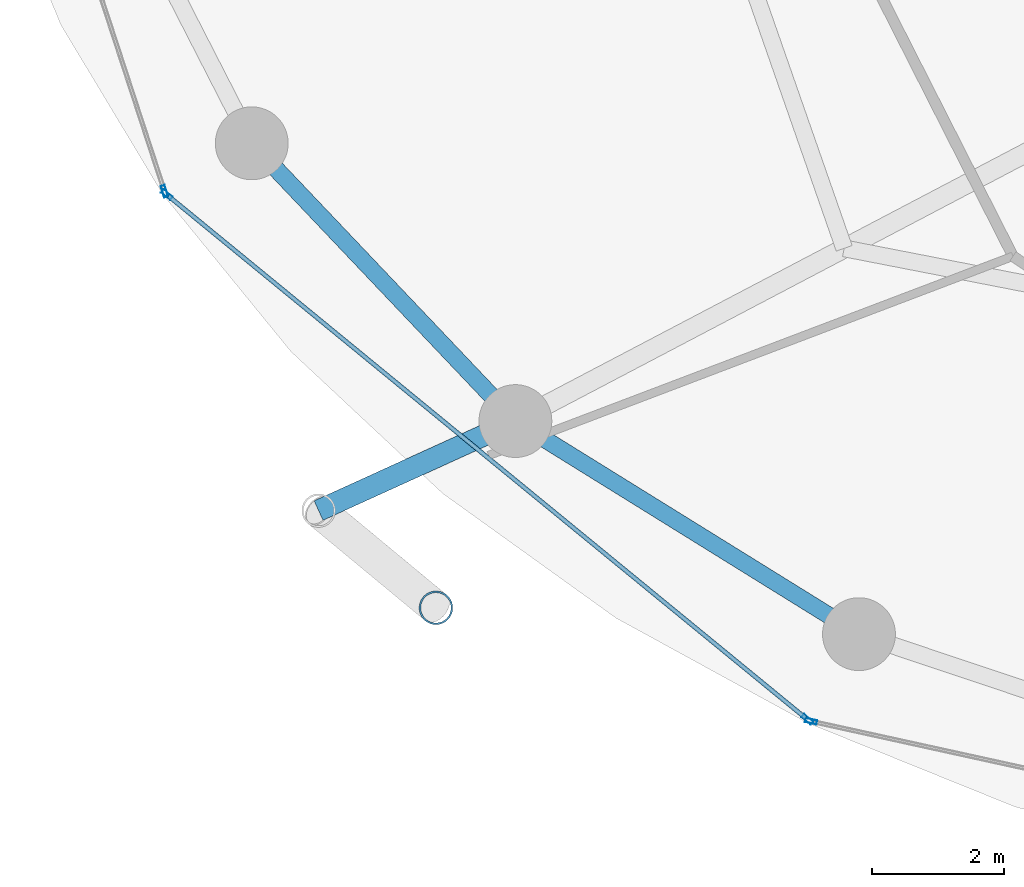
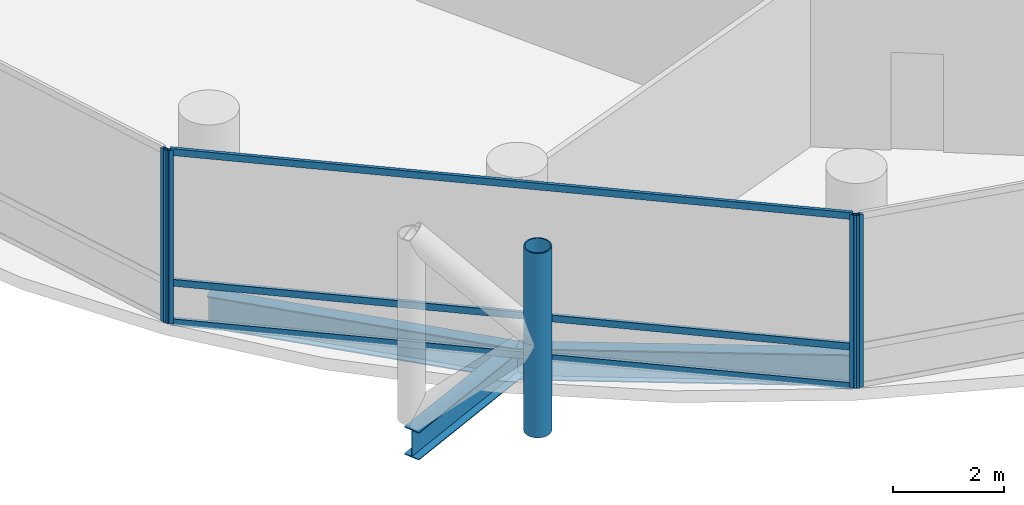
# One storey, part 2 of 26: 8 members, 3 beams, 3 elements without a shape of their own.
"""IFC4 building model written with IfcOpenShell, lengths in metres."""

from ifc_helpers import new_model, si_unit, direction, frame, origin, origin_2d, place, context, subcontext, project, spatial, hollow_rectangle, hollow_circle, i_section, extrude, material, layer, layer_set, material_profile, profile_set, type_object, element, aggregate, save


model = new_model("IFC4")

# Units and contexts
model_context = context("Model", 3, precision=1e-05, world=origin(), true_north=direction((0.0, 1.0)))
body_context = subcontext(model_context, "Body", "Model", "MODEL_VIEW")
ifc_project = project(units=[si_unit("LENGTHUNIT", "METRE"), si_unit("AREAUNIT", "SQUARE_METRE"), si_unit("VOLUMEUNIT", "CUBIC_METRE"), si_unit("PLANEANGLEUNIT", "RADIAN"), si_unit("MASSUNIT", "GRAM", prefix="KILO")], contexts=[model_context])

# Site, building, storey
site_placement = place(None, origin())
site = spatial("IfcSite", under=ifc_project, at=site_placement, CompositionType="ELEMENT")
building_placement = place(site_placement, origin())
building = spatial("IfcBuilding", under=site, at=building_placement, Name="Nuhasar Tower", CompositionType="ELEMENT")
storey_placement = place(building_placement, frame((0.0, 0.0, 53.39990234375)))
storey = spatial("IfcBuildingStorey", under=building, at=storey_placement, Name="L12", CompositionType="ELEMENT", Elevation=53.39990234375)

# Beams
ifc_material_1 = material(Name="Steel S355", Category="steel")
ifc_material_profile_1 = material_profile(ifc_material_1, i_section(OverallWidth=0.256103515625, OverallDepth=0.693115234375, WebThickness=0.014404296875, FlangeThickness=0.023681640625, at=origin_2d()), Name="W27X114")
ifc_profile_set_1 = profile_set([ifc_material_profile_1], Name="Steel S355")
beam_type_1 = type_object("IfcBeamType", Name="BM-RING-W27X114", PredefinedType="SPANDREL", material=ifc_profile_set_1)
beam_1_placement = place(storey_placement, frame((17.305908203125, 16.675048828125, -0.60595703125), z_axis=(0.688459812429, -0.725274490569, 0.0), x_axis=(0.725274490569, 0.688459812429, 0.0)))
element("IfcBeam", 1, at=beam_1_placement, inside=storey, type_object=beam_type_1, Name="L12 Perimeter Ring Spandrel 15", PredefinedType="SPANDREL", context=body_context, shape_type="SweptSolid", body=[
    extrude(i_section(OverallWidth=0.256103515625, OverallDepth=0.693115234375, WebThickness=0.014404296875, FlangeThickness=0.023681640625, at=origin_2d()), origin(), (0.0, 0.0, 1.0), 5.78271484375),
])
beam_2_placement = place(storey_placement, frame((21.287109375, 12.48095703125, -0.60595703125), z_axis=(0.849795216549, -0.527112976439, 0.0), x_axis=(0.527112976439, 0.849795216549, 0.0)))
element("IfcBeam", 2, at=beam_2_placement, inside=storey, type_object=beam_type_1, Name="L12 Perimeter Ring Spandrel 16", PredefinedType="SPANDREL", context=body_context, shape_type="SweptSolid", body=[
    extrude(i_section(OverallWidth=0.256103515625, OverallDepth=0.693115234375, WebThickness=0.014404296875, FlangeThickness=0.023681640625, at=origin_2d()), origin(), (0.0, 0.0, 1.0), 6.10498046875),
])
ifc_material_profile_2 = material_profile(ifc_material_1, i_section(OverallWidth=0.323974609375, OverallDepth=0.611083984375, WebThickness=0.0126953125, FlangeThickness=0.01904296875, at=origin_2d()), Name="W24X104")
ifc_profile_set_2 = profile_set([ifc_material_profile_2], Name="Steel S355")
beam_type_2 = type_object("IfcBeamType", Name="BM-TIE-W24X104", PredefinedType="BEAM", material=ifc_profile_set_2)
beam_3_placement = place(storey_placement, frame((21.287109375, 12.48095703125, -0.56591796875), z_axis=(-0.910243528587, -0.414073325227, 0.0), x_axis=(0.414073325227, -0.910243528587, 0.0)))
element("IfcBeam", 3, at=beam_3_placement, inside=storey, type_object=beam_type_2, Name="L12 Exoskeleton Node Tie Beam 08", PredefinedType="BEAM", context=body_context, shape_type="SweptSolid", body=[
    extrude(i_section(OverallWidth=0.323974609375, OverallDepth=0.611083984375, WebThickness=0.0126953125, FlangeThickness=0.01904296875, at=origin_2d()), origin(), (0.0, 0.0, 1.0), 3.26513671875),
])

# Curtain wall, member
ifc_material_2 = material(Name="Aluminium 6063-T6", Category="aluminium")
ifc_layer = layer(ifc_material_2, 0.199951171875)
ifc_layer_set = layer_set([ifc_layer], Name="Aluminium 6063-T6")
curtain_wall_type = type_object("IfcCurtainWallType", Name="CW-Z1-OFF", PredefinedType="NOTDEFINED", material=ifc_layer_set)
curtain_wall_1_placement = place(storey_placement, origin())
curtain_wall_1 = element("IfcCurtainWall", 4, at=curtain_wall_1_placement, inside=storey, type_object=curtain_wall_type, Name="L12 Unitised Curtain Wall 07", PredefinedType="NOTDEFINED")
ifc_material_profile_3 = material_profile(ifc_material_2, hollow_rectangle(XDim=0.06494140625, YDim=0.179931640625, WallThickness=0.0048828125, at=origin_2d()), Name="CWM-2")
ifc_profile_set_3 = profile_set([ifc_material_profile_3], Name="Aluminium 6063-T6")
member_type_1 = type_object("IfcMemberType", Name="CW-MUL-S2", PredefinedType="MULLION", material=ifc_profile_set_3)
member_1_placement = place(storey_placement, frame((15.98779296875, 15.950927734375, 0.0), z_axis=(0.0, 0.0, 1.0), x_axis=(0.950467534571, 0.310823849997, 0.0)))
member_1 = element("IfcMember", 5, at=member_1_placement, type_object=member_type_1, Name="CW-Z1 mullion 2", PredefinedType="MULLION", context=body_context, shape_type="SweptSolid", body=[
    extrude(hollow_rectangle(XDim=0.06494140625, YDim=0.179931640625, WallThickness=0.0048828125, at=origin_2d()), origin(), (0.0, 0.0, 1.0), 3.800048828125),
])
aggregate(curtain_wall_1, [member_1])

# Curtain wall, members
curtain_wall_2_placement = place(storey_placement, origin())
curtain_wall_2 = element("IfcCurtainWall", 6, at=curtain_wall_2_placement, inside=storey, type_object=curtain_wall_type, Name="L12 Unitised Curtain Wall 08", PredefinedType="NOTDEFINED")
member_2_placement = place(storey_placement, frame((16.023193359375, 15.8994140625, 0.0), z_axis=(0.0, 0.0, 1.0), x_axis=(0.633744593376, 0.773542364946, 0.0)))
member_2 = element("IfcMember", 7, at=member_2_placement, type_object=member_type_1, Name="CW-Z1 mullion 1", PredefinedType="MULLION", context=body_context, shape_type="SweptSolid", body=[
    extrude(hollow_rectangle(XDim=0.06494140625, YDim=0.179931640625, WallThickness=0.0048828125, at=origin_2d()), origin(), (0.0, 0.0, 1.0), 3.800048828125),
])
member_3_placement = place(storey_placement, frame((25.69482421875, 7.9755859375, 0.0), z_axis=(0.0, 0.0, 1.0), x_axis=(0.633744593376, 0.773542364946, 0.0)))
member_3 = element("IfcMember", 8, at=member_3_placement, type_object=member_type_1, Name="CW-Z1 mullion 2", PredefinedType="MULLION", context=body_context, shape_type="SweptSolid", body=[
    extrude(hollow_rectangle(XDim=0.06494140625, YDim=0.179931640625, WallThickness=0.0048828125, at=origin_2d()), origin(), (0.0, 0.0, 1.0), 3.800048828125),
])

# Curtain wall, member
curtain_wall_3_placement = place(storey_placement, origin())
curtain_wall_3 = element("IfcCurtainWall", 9, at=curtain_wall_3_placement, inside=storey, type_object=curtain_wall_type, Name="L12 Unitised Curtain Wall 09", PredefinedType="NOTDEFINED")
member_4_placement = place(storey_placement, frame((25.751708984375, 7.947998046875, 0.0), z_axis=(0.0, 0.0, 1.0), x_axis=(0.214398737637, 0.976746221544, 0.0)))
member_4 = element("IfcMember", 10, at=member_4_placement, type_object=member_type_1, Name="CW-Z1 mullion 1", PredefinedType="MULLION", context=body_context, shape_type="SweptSolid", body=[
    extrude(hollow_rectangle(XDim=0.06494140625, YDim=0.179931640625, WallThickness=0.0048828125, at=origin_2d()), origin(), (0.0, 0.0, 1.0), 3.800048828125),
])
aggregate(curtain_wall_3, [member_4])

# Member
ifc_material_profile_4 = material_profile(ifc_material_2, hollow_rectangle(XDim=0.06494140625, YDim=0.14990234375, WallThickness=0.00439453125, at=origin_2d()), Name="CWT-2")
ifc_profile_set_4 = profile_set([ifc_material_profile_4], Name="Aluminium 6063-T6")
member_type_2 = type_object("IfcMemberType", Name="CW-TRN-S2", PredefinedType="USERDEFINED", material=ifc_profile_set_4)
member_5_placement = place(storey_placement, frame((16.04833984375, 15.87890625, 0.03271484375), z_axis=(0.773531229158, -0.633758185365, 0.0), x_axis=(0.633758185365, 0.773531229158, 0.0)))
member_5 = element("IfcMember", 11, at=member_5_placement, type_object=member_type_2, Name="CW-Z1 transom 1.1", ObjectType="TRANSOM", PredefinedType="USERDEFINED", context=body_context, shape_type="SweptSolid", body=[
    extrude(hollow_rectangle(XDim=0.06494140625, YDim=0.14990234375, WallThickness=0.00439453125, at=origin_2d()), origin(), (0.0, 0.0, 1.0), 12.438232421875),
])

member_6_placement = place(storey_placement, frame((16.04833984375, 15.87890625, 0.900146484375), z_axis=(0.773531229158, -0.633758185365, 0.0), x_axis=(0.633758185365, 0.773531229158, 0.0)))
member_6 = element("IfcMember", 12, at=member_6_placement, type_object=member_type_2, Name="CW-Z1 transom 1.2", ObjectType="TRANSOM", PredefinedType="USERDEFINED", context=body_context, shape_type="SweptSolid", body=[
    extrude(hollow_rectangle(XDim=0.06494140625, YDim=0.14990234375, WallThickness=0.00439453125, at=origin_2d()), origin(), (0.0, 0.0, 1.0), 12.438232421875),
])

member_7_placement = place(storey_placement, frame((16.04833984375, 15.87890625, 3.767578125), z_axis=(0.773531229158, -0.633758185365, 0.0), x_axis=(0.633758185365, 0.773531229158, 0.0)))
member_7 = element("IfcMember", 13, at=member_7_placement, type_object=member_type_2, Name="CW-Z1 transom 1.3", ObjectType="TRANSOM", PredefinedType="USERDEFINED", context=body_context, shape_type="SweptSolid", body=[
    extrude(hollow_rectangle(XDim=0.06494140625, YDim=0.14990234375, WallThickness=0.00439453125, at=origin_2d()), origin(), (0.0, 0.0, 1.0), 12.438232421875),
])

aggregate(curtain_wall_2, [member_2, member_3, member_5, member_6, member_7])

ifc_material_3 = material(Name="Steel S460", Category="steel")
ifc_material_profile_5 = material_profile(ifc_material_3, hollow_circle(Radius=0.25390625, WallThickness=0.025390625, at=origin_2d()), Name="HSS508X25.4")
ifc_profile_set_5 = profile_set([ifc_material_profile_5], Name="Steel S460")
member_type_3 = type_object("IfcMemberType", Name="EXO-BRONZE-508", PredefinedType="BRACE", material=ifc_profile_set_5)
member_8_placement = place(storey_placement, frame((20.0869140625, 9.660888671875, 0.0), z_axis=(0.0, 0.0, 1.0), x_axis=(1.0, 0.0, 0.0)))
element("IfcMember", 14, at=member_8_placement, inside=storey, type_object=member_type_3, Name="L12 Exoskeleton Chord Column EC-08B", PredefinedType="BRACE", context=body_context, shape_type="SweptSolid", body=[
    extrude(hollow_circle(Radius=0.25390625, WallThickness=0.025390625, at=origin_2d()), origin(), (0.0, 0.0, 1.0), 4.050048828125),
])

save(model, "model.ifc")
